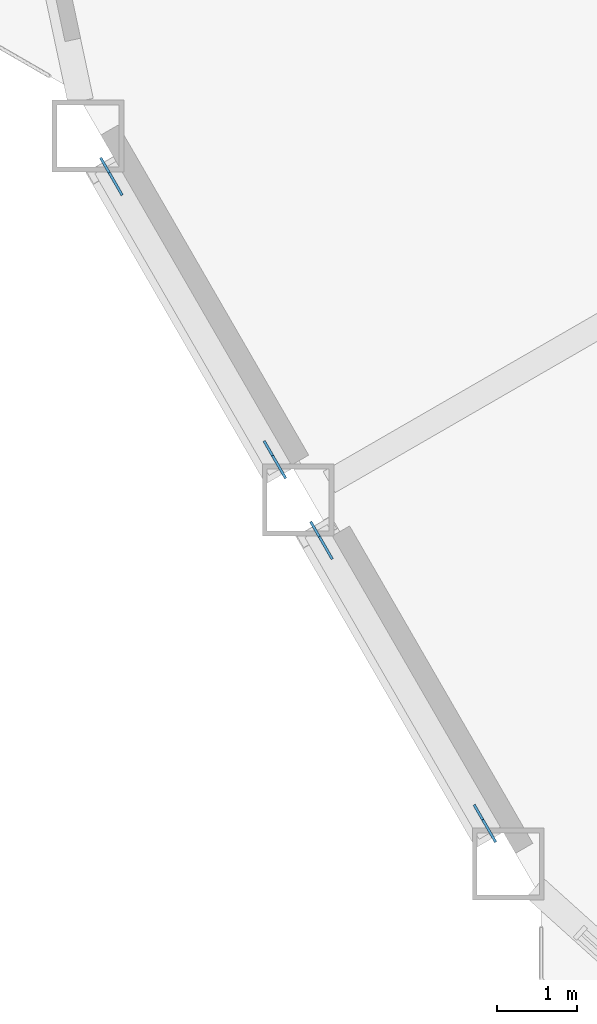
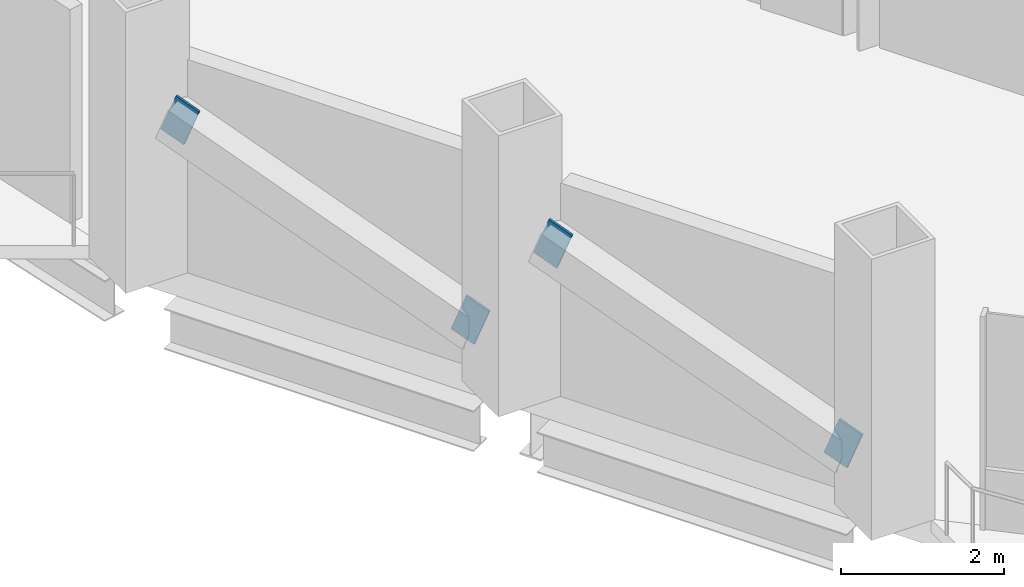
# One storey, part 14 of 21: 4 discrete accessories.
"""IFC4 building model written with IfcOpenShell, lengths in metres."""

from ifc_helpers import new_model, si_unit, direction, frame, origin, origin_2d, place, context, subcontext, project, spatial, rectangle, extrude, material, material_profile, profile_set, type_object, element, save


model = new_model("IFC4")

# Units and contexts
model_context = context("Model", 3, precision=1e-05, world=origin(), true_north=direction((0.0, 1.0)))
body_context = subcontext(model_context, "Body", "Model", "MODEL_VIEW")
ifc_project = project(units=[si_unit("LENGTHUNIT", "METRE"), si_unit("AREAUNIT", "SQUARE_METRE"), si_unit("VOLUMEUNIT", "CUBIC_METRE"), si_unit("PLANEANGLEUNIT", "RADIAN"), si_unit("MASSUNIT", "GRAM", prefix="KILO")], contexts=[model_context])

# Site, building, storey
site_placement = place(None, origin())
site = spatial("IfcSite", under=ifc_project, at=site_placement, CompositionType="ELEMENT")
building_placement = place(site_placement, origin())
building = spatial("IfcBuilding", under=site, at=building_placement, Name="Cormorant Prow Tower", CompositionType="ELEMENT")
storey_placement = place(building_placement, frame((0.0, 0.0, 112.199951171875)))
storey = spatial("IfcBuildingStorey", under=building, at=storey_placement, Name="L23", CompositionType="ELEMENT", Elevation=112.199951171875)

# Discrete accessories
ifc_material = material(Name="Structural steel ASTM A500 Gr C", Category="steel")
ifc_material_profile = material_profile(ifc_material, rectangle(XDim=0.031982421875, YDim=0.60791015625, at=origin_2d()), Name="Gusset plate 32x608")
ifc_profile_set = profile_set([ifc_material_profile], Name="Structural steel ASTM A500 Gr C")
discrete_accessory_type = type_object("IfcDiscreteAccessoryType", Name="Gusset plate 32x608", PredefinedType="BRACKET", material=ifc_profile_set)
for number, where, z_axis, x_axis, name in (
    (1, (-28.5087890625, -15.59521484375, 0.882568359375), (0.467903125124, -0.810288273314, -0.352844979601), (0.865987003449, 0.500066505434, 0.0), "Gusset plate GP1 L23.WSW00.g0"),
    (2, (-30.39501953125, -12.328125, 2.306396484375), (-0.467903125124, 0.810288273314, 0.352844979601), (-0.865987003449, -0.500066505434, 0.0), "Gusset plate GP1 L23.WSW00.g1"),
    (3, (-25.8740234375, -20.158935546875, 0.882568359375), (0.467903125124, -0.810288273314, -0.352844979601), (0.865987003449, 0.500066505434, 0.0), "Gusset plate GP1 L23.WSW01.g0"),
):
    element("IfcDiscreteAccessory", number, at=place(storey_placement, frame(where, z_axis=z_axis, x_axis=x_axis)), inside=storey, type_object=discrete_accessory_type, Name=name, PredefinedType="BRACKET", context=body_context, shape_type="SweptSolid", body=[
        extrude(rectangle(XDim=0.031982421875, YDim=0.60791015625, at=origin_2d()), origin(), (0.0, 0.0, 1.0), 0.35009765625),
    ])
discrete_accessory_placement = place(storey_placement, frame((-27.76025390625, -16.8916015625, 2.306396484375), z_axis=(-0.468167615655, 0.810048586848, 0.353044431477), x_axis=(-0.865800459427, -0.500389412813, 0.0)))
element("IfcDiscreteAccessory", 4, at=discrete_accessory_placement, inside=storey, type_object=discrete_accessory_type, Name="Gusset plate GP1 L23.WSW01.g1", PredefinedType="BRACKET", context=body_context, shape_type="SweptSolid", body=[
    extrude(rectangle(XDim=0.031982421875, YDim=0.60791015625, at=origin_2d()), origin(), (0.0, 0.0, 1.0), 0.349853515625),
])

save(model, "model.ifc")
